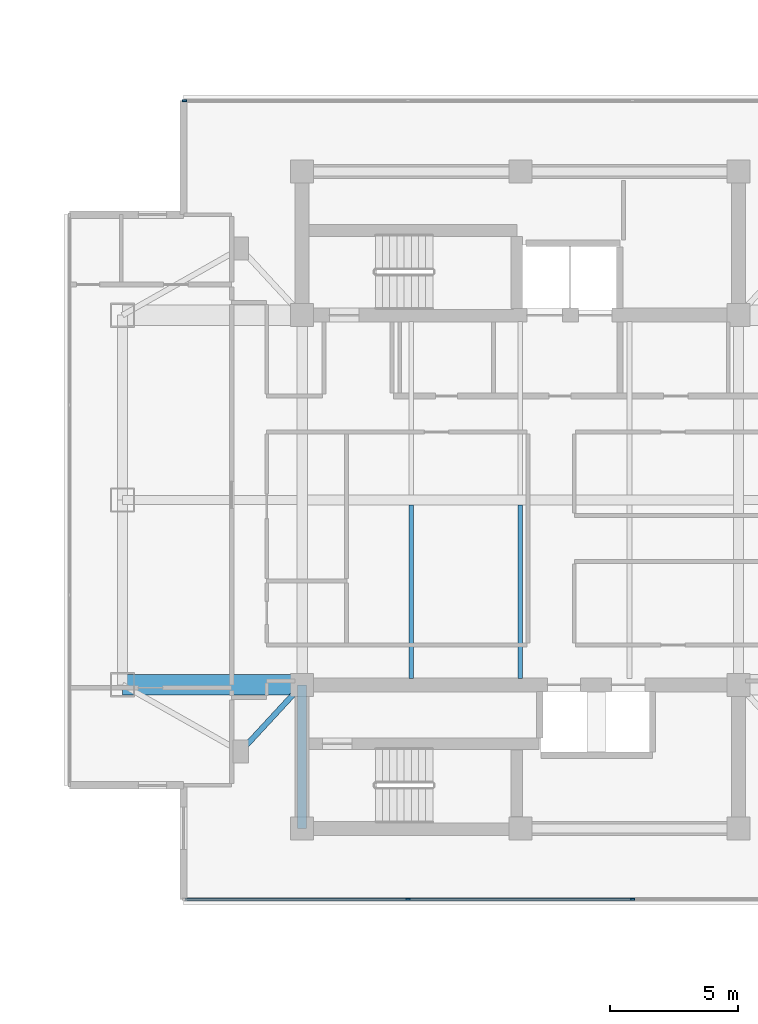
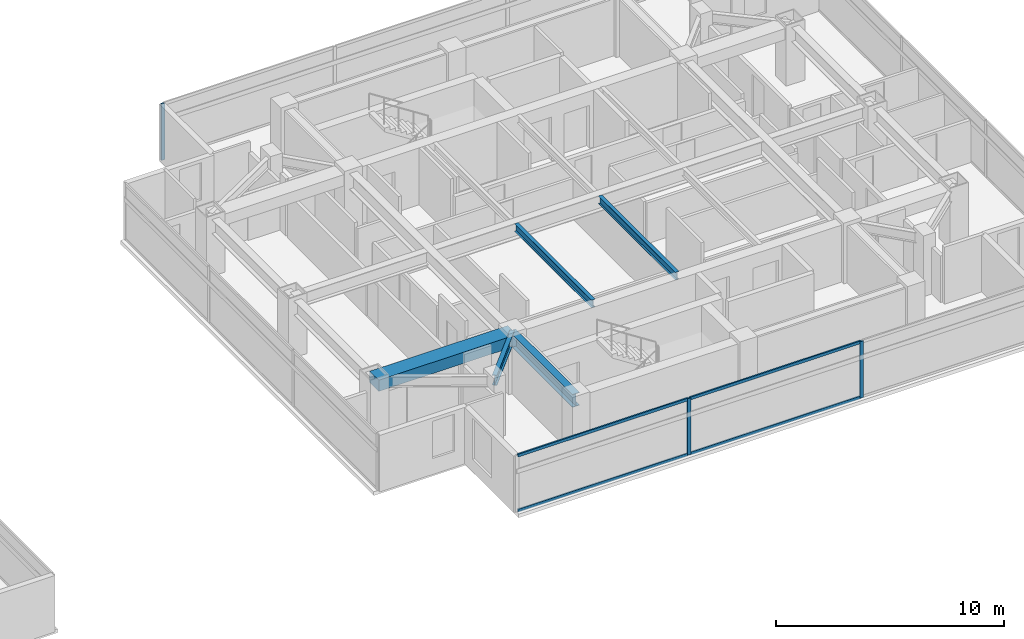
# One storey, part 8 of 24: 7 members, 5 beams, 2 elements without a shape of their own.
"""IFC4 building model written with IfcOpenShell, lengths in metres."""

from ifc_helpers import new_model, si_unit, direction, frame, origin, origin_2d, place, context, subcontext, project, spatial, rectangle, i_section, extrude, material, material_profile, profile_set, type_object, element, aggregate, save


model = new_model("IFC4")

# Units and contexts
model_context = context("Model", 3, precision=1e-05, world=origin(), true_north=direction((0.0, 1.0)))
body_context = subcontext(model_context, "Body", "Model", "MODEL_VIEW")
ifc_project = project(units=[si_unit("LENGTHUNIT", "METRE"), si_unit("AREAUNIT", "SQUARE_METRE"), si_unit("VOLUMEUNIT", "CUBIC_METRE"), si_unit("PLANEANGLEUNIT", "RADIAN"), si_unit("MASSUNIT", "GRAM", prefix="KILO")], contexts=[model_context])

# Site, building, storey
site_placement = place(None, origin())
site = spatial("IfcSite", under=ifc_project, at=site_placement, CompositionType="ELEMENT")
building_placement = place(site_placement, origin())
building = spatial("IfcBuilding", under=site, at=building_placement, Name="Mirazonda Arch Towers", CompositionType="ELEMENT")
storey_placement = place(building_placement, frame((0.0, 0.0, 199.89990234375)))
storey = spatial("IfcBuildingStorey", under=building, at=storey_placement, Name="L57", CompositionType="ELEMENT", Elevation=199.89990234375)

# Beams
ifc_material_1 = material(Name="Steel ASTM A992 Grade 50", Category="steel")
ifc_material_profile_1 = material_profile(ifc_material_1, i_section(OverallWidth=0.180908203125, OverallDepth=0.4169921875, WebThickness=0.010986328125, FlangeThickness=0.018310546875, at=origin_2d()), Name="W16X57")
ifc_profile_set_1 = profile_set([ifc_material_profile_1], Name="Steel ASTM A992 Grade 50")
beam_type_1 = type_object("IfcBeamType", Name="BM-INT-W16X57", PredefinedType="JOIST", material=ifc_profile_set_1)
for number, where, z_axis, x_axis, name in (
    (1, (72.25, 21.0400390625, 2.841552734375), (0.0, 1.0, 0.0), (-1.0, 0.0, 0.0), "L57 Floor Beam BM-T2-L57-J-722-20"),
    (2, (76.5, 21.0400390625, 2.841552734375), (0.0, 1.0, 0.0), (-1.0, 0.0, 0.0), "L57 Floor Beam BM-T2-L57-J-765-20"),
):
    element("IfcBeam", number, at=place(storey_placement, frame(where, z_axis=z_axis, x_axis=x_axis)), inside=storey, type_object=beam_type_1, Name=name, PredefinedType="JOIST", context=body_context, shape_type="SweptSolid", body=[
        extrude(i_section(OverallWidth=0.180908203125, OverallDepth=0.4169921875, WebThickness=0.010986328125, FlangeThickness=0.018310546875, at=origin_2d()), origin(), (0.0, 0.0, 1.0), 6.763916015625),
    ])
ifc_material_profile_2 = material_profile(ifc_material_1, i_section(OverallWidth=0.214111328125, OverallDepth=0.549072265625, WebThickness=0.0146484375, FlangeThickness=0.023681640625, at=origin_2d()), Name="W21X93")
ifc_profile_set_2 = profile_set([ifc_material_profile_2], Name="Steel ASTM A992 Grade 50")
beam_type_2 = type_object("IfcBeamType", Name="BM-INT-W21X93", PredefinedType="BEAM", material=ifc_profile_set_2)
beam_1_placement = place(storey_placement, frame((65.60009765625, 18.199951171875, 2.775634765625), z_axis=(0.678251444854, 0.734829897019, 0.0), x_axis=(-0.734829897019, 0.678251444854, 0.0)))
element("IfcBeam", 3, at=beam_1_placement, inside=storey, type_object=beam_type_2, Name="L57 Floor Beam BM-T2-L57-PL-SW1", PredefinedType="BEAM", context=body_context, shape_type="SweptSolid", body=[
    extrude(i_section(OverallWidth=0.214111328125, OverallDepth=0.549072265625, WebThickness=0.0146484375, FlangeThickness=0.023681640625, at=origin_2d()), origin(), (0.0, 0.0, 1.0), 3.538330078125),
])
ifc_material_profile_3 = material_profile(ifc_material_1, i_section(OverallWidth=0.35498046875, OverallDepth=0.696044921875, WebThickness=0.015380859375, FlangeThickness=0.02490234375, at=origin_2d()), Name="W27X146")
ifc_profile_set_3 = profile_set([ifc_material_profile_3], Name="Steel ASTM A992 Grade 50")
beam_type_3 = type_object("IfcBeamType", Name="BM-INT-W27X146", PredefinedType="BEAM", material=ifc_profile_set_3)
beam_2_placement = place(storey_placement, frame((68.0, 15.199951171875, 2.7021484375), z_axis=(0.0, 1.0, 0.0), x_axis=(-1.0, 0.0, 0.0)))
element("IfcBeam", 4, at=beam_2_placement, inside=storey, type_object=beam_type_3, Name="L57 Floor Beam BM-T2-L57-CSW", PredefinedType="BEAM", context=body_context, shape_type="SweptSolid", body=[
    extrude(i_section(OverallWidth=0.35498046875, OverallDepth=0.696044921875, WebThickness=0.015380859375, FlangeThickness=0.02490234375, at=origin_2d()), origin(), (0.0, 0.0, 1.0), 5.60009765625),
])
ifc_material_2 = material(Name="Concrete C60/75", Category="concrete")
ifc_material_profile_4 = material_profile(ifc_material_2, rectangle(XDim=0.800048828125, YDim=0.60009765625, at=origin_2d()), Name="RCCB800x600")
ifc_profile_set_4 = profile_set([ifc_material_profile_4], Name="Concrete C60/75")
beam_type_4 = type_object("IfcBeamType", Name="CB-INT-RCCB800x600", PredefinedType="SPANDREL", material=ifc_profile_set_4)
beam_3_placement = place(storey_placement, frame((61.0, 20.800048828125, 2.75), z_axis=(1.0, 0.0, 0.0), x_axis=(0.0, 1.0, 0.0)))
element("IfcBeam", 5, at=beam_3_placement, inside=storey, type_object=beam_type_4, Name="L57 Floor Beam CBC-T2-L57-SW", PredefinedType="SPANDREL", context=body_context, shape_type="SweptSolid", body=[
    extrude(rectangle(XDim=0.800048828125, YDim=0.60009765625, at=origin_2d()), origin(), (0.0, 0.0, 1.0), 7.0),
])

# Curtain wall, members
ifc_material_3 = material(Name="Anodised Aluminium and Low-E Glass", Category="aluminium")
curtain_wall_type = type_object("IfcCurtainWallType", Name="CW-RES-UNIT", PredefinedType="NOTDEFINED", material=ifc_material_3)
curtain_wall_1_placement = place(storey_placement, origin())
curtain_wall_1 = element("IfcCurtainWall", 6, at=curtain_wall_1_placement, inside=storey, type_object=curtain_wall_type, Name="L57 T2 S Facade CW-L57-T2-S", PredefinedType="NOTDEFINED")
ifc_material_4 = material(Name="Anodised Aluminium Alloy", Category="aluminium")
ifc_material_profile_5 = material_profile(ifc_material_4, rectangle(XDim=0.074951171875, YDim=0.175048828125, at=origin_2d()), Name="ALU-MULL-75x175")
ifc_profile_set_5 = profile_set([ifc_material_profile_5], Name="Anodised Aluminium Alloy")
member_type_1 = type_object("IfcMemberType", Name="MULL-CW-RES-UNIT", PredefinedType="MULLION", material=ifc_profile_set_5)
member_1_placement = place(storey_placement, frame((80.8759765625, 12.445068359375, 0.0), z_axis=(0.0, 0.0, 1.0), x_axis=(0.0, -1.0, 0.0)))
member_1 = element("IfcMember", 7, at=member_1_placement, type_object=member_type_1, Name="CW-104 mullion 2", PredefinedType="MULLION", context=body_context, shape_type="SweptSolid", body=[
    extrude(rectangle(XDim=0.074951171875, YDim=0.175048828125, at=origin_2d()), origin(), (0.0, 0.0, 1.0), 3.030029296875),
])
member_2_placement = place(storey_placement, frame((72.1240234375, 12.445068359375, 0.0), z_axis=(0.0, 0.0, 1.0), x_axis=(0.0, -1.0, 0.0)))
member_2 = element("IfcMember", 8, at=member_2_placement, type_object=member_type_1, Name="CW-104 mullion 3", PredefinedType="MULLION", context=body_context, shape_type="SweptSolid", body=[
    extrude(rectangle(XDim=0.074951171875, YDim=0.175048828125, at=origin_2d()), origin(), (0.0, 0.0, 1.0), 3.030029296875),
])

# Curtain wall, member
curtain_wall_2_placement = place(storey_placement, origin())
curtain_wall_2 = element("IfcCurtainWall", 9, at=curtain_wall_2_placement, inside=storey, type_object=curtain_wall_type, Name="L57 T2 N Facade CW-L57-T2-N", PredefinedType="NOTDEFINED")
member_3_placement = place(storey_placement, frame((63.40966796875, 43.554931640625, 0.0), z_axis=(0.0, 0.0, 1.0), x_axis=(0.0, 1.0, 0.0)))
member_3 = element("IfcMember", 10, at=member_3_placement, type_object=member_type_1, Name="CW-104 mullion 1", PredefinedType="MULLION", context=body_context, shape_type="SweptSolid", body=[
    extrude(rectangle(XDim=0.074951171875, YDim=0.175048828125, at=origin_2d()), origin(), (0.0, 0.0, 1.0), 3.030029296875),
])
aggregate(curtain_wall_2, [member_3])

# Member
ifc_material_profile_6 = material_profile(ifc_material_4, rectangle(XDim=0.074951171875, YDim=0.155029296875, at=origin_2d()), Name="ALU-TRAN-75x155")
ifc_profile_set_6 = profile_set([ifc_material_profile_6], Name="Anodised Aluminium Alloy")
member_type_2 = type_object("IfcMemberType", Name="TRAN-CW-RES-UNIT", PredefinedType="USERDEFINED", material=ifc_profile_set_6)
member_4_placement = place(storey_placement, frame((80.83837890625, 12.445068359375, 0.03759765625), z_axis=(-1.0, 0.0, 0.0), x_axis=(0.0, -1.0, 0.0)))
member_4 = element("IfcMember", 11, at=member_4_placement, type_object=member_type_2, Name="CW-104 transom 2.1", ObjectType="TRANSOM", PredefinedType="USERDEFINED", context=body_context, shape_type="SweptSolid", body=[
    extrude(rectangle(XDim=0.074951171875, YDim=0.155029296875, at=origin_2d()), origin(), (0.0, 0.0, 1.0), 8.6767578125),
])

member_5_placement = place(storey_placement, frame((80.83837890625, 12.445068359375, 2.99267578125), z_axis=(-1.0, 0.0, 0.0), x_axis=(0.0, -1.0, 0.0)))
member_5 = element("IfcMember", 12, at=member_5_placement, type_object=member_type_2, Name="CW-104 transom 2.2", ObjectType="TRANSOM", PredefinedType="USERDEFINED", context=body_context, shape_type="SweptSolid", body=[
    extrude(rectangle(XDim=0.074951171875, YDim=0.155029296875, at=origin_2d()), origin(), (0.0, 0.0, 1.0), 8.6767578125),
])

member_6_placement = place(storey_placement, frame((72.086669921875, 12.445068359375, 0.03759765625), z_axis=(-1.0, 0.0, 0.0), x_axis=(0.0, -1.0, 0.0)))
member_6 = element("IfcMember", 13, at=member_6_placement, type_object=member_type_2, Name="CW-104 transom 3.1", ObjectType="TRANSOM", PredefinedType="USERDEFINED", context=body_context, shape_type="SweptSolid", body=[
    extrude(rectangle(XDim=0.074951171875, YDim=0.155029296875, at=origin_2d()), origin(), (0.0, 0.0, 1.0), 8.639404296875),
])

member_7_placement = place(storey_placement, frame((72.086669921875, 12.445068359375, 2.99267578125), z_axis=(-1.0, 0.0, 0.0), x_axis=(0.0, -1.0, 0.0)))
member_7 = element("IfcMember", 14, at=member_7_placement, type_object=member_type_2, Name="CW-104 transom 3.2", ObjectType="TRANSOM", PredefinedType="USERDEFINED", context=body_context, shape_type="SweptSolid", body=[
    extrude(rectangle(XDim=0.074951171875, YDim=0.155029296875, at=origin_2d()), origin(), (0.0, 0.0, 1.0), 8.639404296875),
])

aggregate(curtain_wall_1, [member_1, member_2, member_4, member_5, member_6, member_7])

save(model, "model.ifc")
